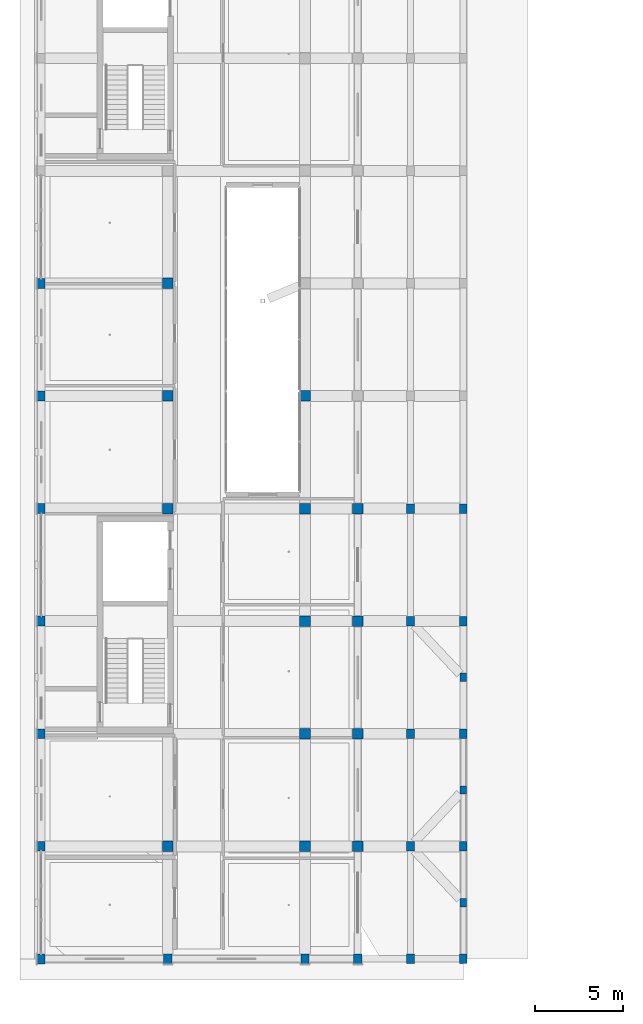
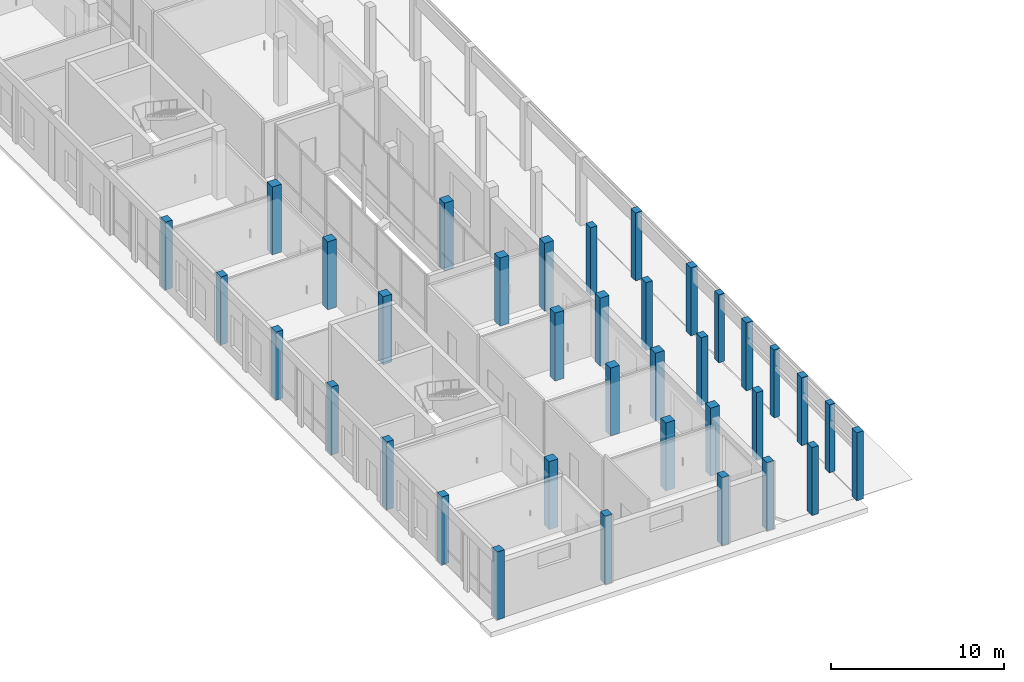
# One storey, part 1 of 88: 36 columns.
"""IFC4 building model written with IfcOpenShell, lengths in metres."""

from ifc_helpers import new_model, si_unit, derived_unit, direction, frame, origin, origin_2d, place, context, subcontext, project, spatial, rectangle, extrude, material, material_profile, profile_set, type_object, element, save


model = new_model("IFC4")

# Units and contexts
model_context = context("Model", 3, precision=1e-05, world=origin(), true_north=direction((0.0, 1.0)))
body_context = subcontext(model_context, "Body", "Model", "MODEL_VIEW")
ifc_project = project(units=[si_unit("LENGTHUNIT", "METRE"), si_unit("AREAUNIT", "SQUARE_METRE"), si_unit("VOLUMEUNIT", "CUBIC_METRE"), si_unit("PLANEANGLEUNIT", "RADIAN"), si_unit("MASSUNIT", "GRAM", prefix="KILO"), derived_unit("THERMALTRANSMITTANCEUNIT", [(si_unit("POWERUNIT", "WATT"), 1), (si_unit("LENGTHUNIT", "METRE"), -2), (si_unit("THERMODYNAMICTEMPERATUREUNIT", "KELVIN"), -1)])], contexts=[model_context])

# Site, building, storey
site_placement = place(None, origin())
site = spatial("IfcSite", under=ifc_project, at=site_placement, CompositionType="ELEMENT")
building_placement = place(site_placement, origin())
building = spatial("IfcBuilding", under=site, at=building_placement, Name="Braskholm Square Health Centre", CompositionType="ELEMENT")
storey_placement = place(building_placement, origin())
storey = spatial("IfcBuildingStorey", under=building, at=storey_placement, Name="L01", CompositionType="ELEMENT", Elevation=0.0)

# Columns
ifc_material_1 = material(Name="Concrete C40/50 (f'c = 40 MPa)", Category="concrete")
ifc_material_profile_1 = material_profile(ifc_material_1, rectangle(XDim=0.60009765625, YDim=0.60009765625, at=origin_2d()), Name="RC-600X600")
ifc_profile_set_1 = profile_set([ifc_material_profile_1], Name="Concrete C40/50 (f'c = 40 MPa)")
column_type_1 = type_object("IfcColumnType", Name="ColInteriorLow600", PredefinedType="COLUMN", material=ifc_profile_set_1)
for number, where, z_axis, x_axis, name in (
    (1, (11.39990234375, 10.60009765625, 0.0), (0.0, 0.0, 1.0), (1.0, 0.0, 0.0), "Column 2/B L01"),
    (2, (11.39990234375, 29.800048828125, 0.0), (0.0, 0.0, 1.0), (1.0, 0.0, 0.0), "Column 2/E L01"),
    (3, (11.39990234375, 36.199951171875, 0.0), (0.0, 0.0, 1.0), (1.0, 0.0, 0.0), "Column 2/F L01"),
    (4, (11.39990234375, 42.60009765625, 0.0), (0.0, 0.0, 1.0), (1.0, 0.0, 0.0), "Column 2/G L01"),
    (5, (19.199951171875, 10.60009765625, 0.0), (0.0, 0.0, 1.0), (1.0, 0.0, 0.0), "Column 3/B L01"),
    (6, (19.199951171875, 17.0, 0.0), (0.0, 0.0, 1.0), (1.0, 0.0, 0.0), "Column 3/C L01"),
    (7, (19.199951171875, 23.39990234375, 0.0), (0.0, 0.0, 1.0), (1.0, 0.0, 0.0), "Column 3/D L01"),
    (8, (19.199951171875, 29.800048828125, 0.0), (0.0, 0.0, 1.0), (1.0, 0.0, 0.0), "Column 3/E L01"),
    (9, (19.199951171875, 36.199951171875, 0.0), (0.0, 0.0, 1.0), (1.0, 0.0, 0.0), "Column 3/F L01"),
    (10, (22.199951171875, 10.60009765625, 0.0), (0.0, 0.0, 1.0), (1.0, 0.0, 0.0), "Column 4/B L01"),
    (11, (22.199951171875, 17.0, 0.0), (0.0, 0.0, 1.0), (1.0, 0.0, 0.0), "Column 4/C L01"),
    (12, (22.199951171875, 23.39990234375, 0.0), (0.0, 0.0, 1.0), (1.0, 0.0, 0.0), "Column 4/D L01"),
    (13, (22.199951171875, 29.800048828125, 0.0), (0.0, 0.0, 1.0), (1.0, 0.0, 0.0), "Column 4/E L01"),
):
    element("IfcColumn", number, at=place(storey_placement, frame(where, z_axis=z_axis, x_axis=x_axis)), inside=storey, type_object=column_type_1, Name=name, PredefinedType="COLUMN", context=body_context, shape_type="SweptSolid", body=[
        extrude(rectangle(XDim=0.60009765625, YDim=0.60009765625, at=origin_2d()), origin(), (0.0, 0.0, 1.0), 4.800048828125),
    ])
ifc_material_2 = material(Name="Precast concrete C40/50 architectural white", Category="concrete")
ifc_material_profile_2 = material_profile(ifc_material_2, rectangle(XDim=0.3798828125, YDim=0.47998046875, at=origin_2d()), Name="RC-380X480")
ifc_profile_set_2 = profile_set([ifc_material_profile_2], Name="Precast concrete C40/50 architectural white")
column_type_2 = type_object("IfcColumnType", Name="ColPilasterKasota380x480", PredefinedType="PILASTER", material=ifc_profile_set_2)
for number, where, z_axis, x_axis, name in (
    (14, (28.199951171875, 7.39990234375, 0.0), (0.0, 0.0, 1.0), (1.0, 0.0, 0.0), "Column PIL01 L01"),
    (15, (28.199951171875, 13.800048828125, 0.0), (0.0, 0.0, 1.0), (1.0, 0.0, 0.0), "Column PIL02 L01"),
    (16, (28.199951171875, 20.199951171875, 0.0), (0.0, 0.0, 1.0), (1.0, 0.0, 0.0), "Column PIL03 L01"),
):
    element("IfcColumn", number, at=place(storey_placement, frame(where, z_axis=z_axis, x_axis=x_axis)), inside=storey, type_object=column_type_2, Name=name, PredefinedType="PILASTER", context=body_context, shape_type="SweptSolid", body=[
        extrude(rectangle(XDim=0.3798828125, YDim=0.47998046875, at=origin_2d()), origin(), (0.0, 0.0, 1.0), 4.800048828125),
    ])
ifc_material_profile_3 = material_profile(ifc_material_2, rectangle(XDim=0.43994140625, YDim=0.5400390625, at=origin_2d()), Name="RC-440X540")
ifc_profile_set_3 = profile_set([ifc_material_profile_3], Name="Precast concrete C40/50 architectural white")
column_type_3 = type_object("IfcColumnType", Name="ColPilasterKasota440x540", PredefinedType="PILASTER", material=ifc_profile_set_3)
for number, where, z_axis, x_axis, name in (
    (17, (25.199951171875, 4.199951171875, 0.0), (0.0, 0.0, 1.0), (1.0, 0.0, 0.0), "Column 5/A L01"),
    (18, (25.199951171875, 10.60009765625, 0.0), (0.0, 0.0, 1.0), (1.0, 0.0, 0.0), "Column 5/B L01"),
    (19, (25.199951171875, 17.0, 0.0), (0.0, 0.0, 1.0), (1.0, 0.0, 0.0), "Column 5/C L01"),
    (20, (25.199951171875, 23.39990234375, 0.0), (0.0, 0.0, 1.0), (1.0, 0.0, 0.0), "Column 5/D L01"),
    (21, (25.199951171875, 29.800048828125, 0.0), (0.0, 0.0, 1.0), (1.0, 0.0, 0.0), "Column 5/E L01"),
    (22, (28.199951171875, 4.199951171875, 0.0), (0.0, 0.0, 1.0), (1.0, 0.0, 0.0), "Column 6/A L01"),
    (23, (28.199951171875, 10.60009765625, 0.0), (0.0, 0.0, 1.0), (1.0, 0.0, 0.0), "Column 6/B L01"),
    (24, (28.199951171875, 17.0, 0.0), (0.0, 0.0, 1.0), (1.0, 0.0, 0.0), "Column 6/C L01"),
    (25, (28.199951171875, 23.39990234375, 0.0), (0.0, 0.0, 1.0), (1.0, 0.0, 0.0), "Column 6/D L01"),
    (26, (28.199951171875, 29.800048828125, 0.0), (0.0, 0.0, 1.0), (1.0, 0.0, 0.0), "Column 6/E L01"),
):
    element("IfcColumn", number, at=place(storey_placement, frame(where, z_axis=z_axis, x_axis=x_axis)), inside=storey, type_object=column_type_3, Name=name, PredefinedType="PILASTER", context=body_context, shape_type="SweptSolid", body=[
        extrude(rectangle(XDim=0.43994140625, YDim=0.5400390625, at=origin_2d()), origin(), (0.0, 0.0, 1.0), 4.800048828125),
    ])
ifc_material_profile_4 = material_profile(ifc_material_2, rectangle(XDim=0.4599609375, YDim=0.56005859375, at=origin_2d()), Name="RC-460X560")
ifc_profile_set_4 = profile_set([ifc_material_profile_4], Name="Precast concrete C40/50 architectural white")
column_type_4 = type_object("IfcColumnType", Name="ColPrecastFrame460x560", PredefinedType="COLUMN", material=ifc_profile_set_4)
for number, where, z_axis, x_axis, name in (
    (27, (4.199951171875, 4.199951171875, 0.0), (0.0, 0.0, 1.0), (1.0, 0.0, 0.0), "Column 1/A L01"),
    (28, (4.199951171875, 10.60009765625, 0.0), (0.0, 0.0, 1.0), (1.0, 0.0, 0.0), "Column 1/B L01"),
    (29, (4.199951171875, 17.0, 0.0), (0.0, 0.0, 1.0), (1.0, 0.0, 0.0), "Column 1/C L01"),
    (30, (4.199951171875, 23.39990234375, 0.0), (0.0, 0.0, 1.0), (1.0, 0.0, 0.0), "Column 1/D L01"),
    (31, (4.199951171875, 29.800048828125, 0.0), (0.0, 0.0, 1.0), (1.0, 0.0, 0.0), "Column 1/E L01"),
    (32, (4.199951171875, 36.199951171875, 0.0), (0.0, 0.0, 1.0), (1.0, 0.0, 0.0), "Column 1/F L01"),
    (33, (4.199951171875, 42.60009765625, 0.0), (0.0, 0.0, 1.0), (1.0, 0.0, 0.0), "Column 1/G L01"),
    (34, (11.39990234375, 4.199951171875, 0.0), (0.0, 0.0, 1.0), (1.0, 0.0, 0.0), "Column 2/A L01"),
    (35, (19.199951171875, 4.199951171875, 0.0), (0.0, 0.0, 1.0), (1.0, 0.0, 0.0), "Column 3/A L01"),
    (36, (22.199951171875, 4.199951171875, 0.0), (0.0, 0.0, 1.0), (1.0, 0.0, 0.0), "Column 4/A L01"),
):
    element("IfcColumn", number, at=place(storey_placement, frame(where, z_axis=z_axis, x_axis=x_axis)), inside=storey, type_object=column_type_4, Name=name, PredefinedType="COLUMN", context=body_context, shape_type="SweptSolid", body=[
        extrude(rectangle(XDim=0.4599609375, YDim=0.56005859375, at=origin_2d()), origin(), (0.0, 0.0, 1.0), 4.800048828125),
    ])

save(model, "model.ifc")
